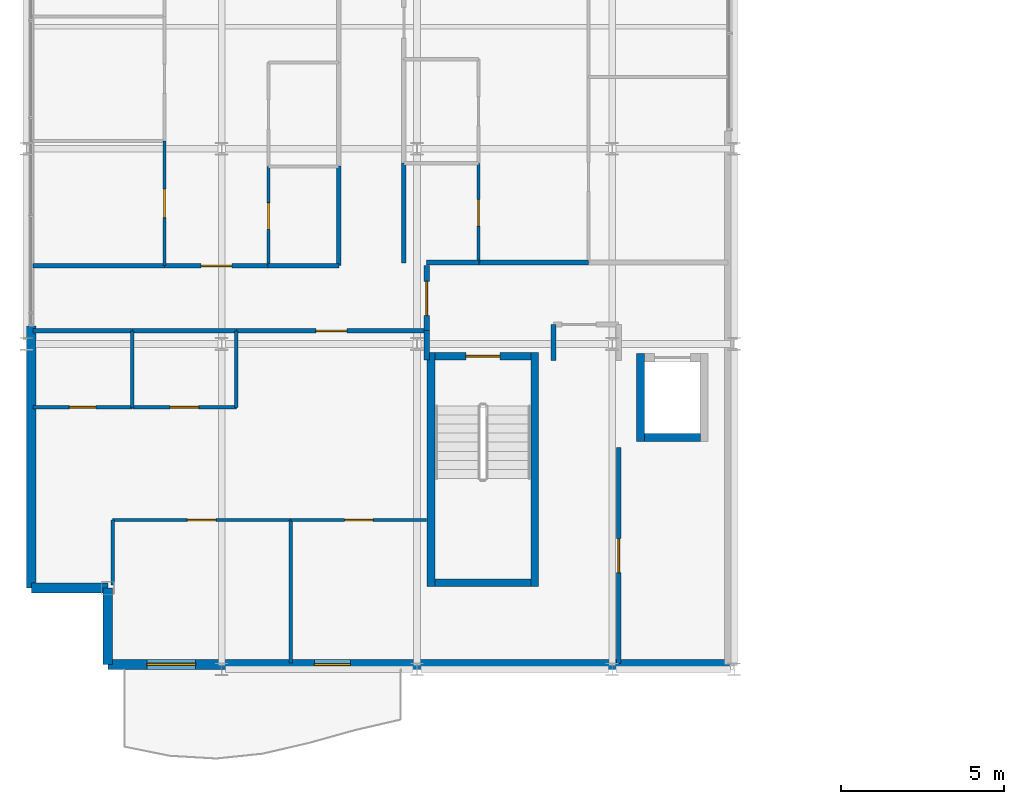
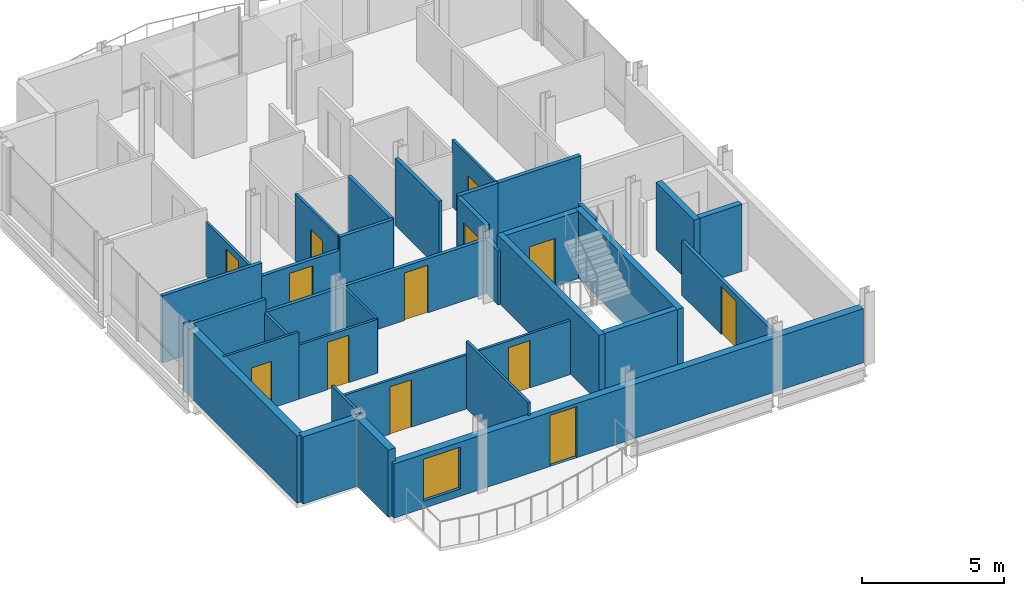
# One storey, part 22 of 27: 35 walls, 13 doors, 1 window, 14 openings.
"""IFC4 building model written with IfcOpenShell, lengths in metres."""

from ifc_helpers import new_model, si_unit, direction, frame, frame_2d, origin, place, context, subcontext, project, spatial, rectangle, extrude, material, layer, layer_set, type_object, element, fill, save


model = new_model("IFC4")

# Units and contexts
model_context = context("Model", 3, precision=1e-05, world=origin(), true_north=direction((0.0, 1.0)))
body_context = subcontext(model_context, "Body", "Model", "MODEL_VIEW")
ifc_project = project(units=[si_unit("LENGTHUNIT", "METRE"), si_unit("AREAUNIT", "SQUARE_METRE"), si_unit("VOLUMEUNIT", "CUBIC_METRE"), si_unit("PLANEANGLEUNIT", "RADIAN"), si_unit("MASSUNIT", "GRAM", prefix="KILO")], contexts=[model_context])

# Site, building, storey
site_placement = place(None, origin())
site = spatial("IfcSite", under=ifc_project, at=site_placement, CompositionType="ELEMENT")
building_placement = place(site_placement, origin())
building = spatial("IfcBuilding", under=site, at=building_placement, Name="Brevholm Reach", CompositionType="ELEMENT")
storey_placement = place(building_placement, frame((0.0, 0.0, 195.60009765625)))
storey = spatial("IfcBuildingStorey", under=building, at=storey_placement, Name="L59", CompositionType="ELEMENT", Elevation=195.60009765625)

# Walls
ifc_material_1 = material(Name="Concrete C45/55", Category="concrete")
ifc_layer_1 = layer(ifc_material_1, 0.239990234375)
ifc_layer_set_1 = layer_set([ifc_layer_1], Name="Concrete C45/55")
wall_type_1 = type_object("IfcWallType", Name="WAL-COR-240", PredefinedType="SHEAR", material=ifc_layer_set_1)
for number, where, z_axis, x_axis, name in (
    (1, (12.429931640625, 2.5400390625, 0.0), (0.0, 0.0, 1.0), (0.0, 1.0, 0.0), "L59 Escape Stair ST-1 Core Wall W"),
    (2, (15.6201171875, 2.5400390625, 0.0), (0.0, 0.0, 1.0), (0.0, 1.0, 0.0), "L59 Escape Stair ST-1 Core Wall E"),
):
    element("IfcWall", number, at=place(storey_placement, frame(where, z_axis=z_axis, x_axis=x_axis)), inside=storey, type_object=wall_type_1, Name=name, PredefinedType="SHEAR", context=body_context, shape_type="SweptSolid", body=[
        extrude(rectangle(XDim=7.199951171875, YDim=0.239990234375, at=frame_2d((3.60009765625, 0.0))), origin(), (0.0, 0.0, 1.0), 2.889892578125),
    ])
wall_1_placement = place(storey_placement, frame((12.550048828125, 2.659912109375, 0.0), z_axis=(0.0, 0.0, 1.0), x_axis=(1.0, 0.0, 0.0)))
element("IfcWall", 3, at=wall_1_placement, inside=storey, type_object=wall_type_1, Name="L59 Escape Stair ST-1 Core Wall S", PredefinedType="SHEAR", context=body_context, shape_type="SweptSolid", body=[
    extrude(rectangle(XDim=2.949951171875, YDim=0.239990234375, at=frame_2d((1.47509765625, 0.0))), origin(), (0.0, 0.0, 1.0), 2.889892578125),
])

# Wall, opening, door
wall_2_placement = place(storey_placement, frame((15.5, 9.6201171875, 0.0), z_axis=(0.0, 0.0, 1.0), x_axis=(-1.0, 0.0, 0.0)))
wall_2 = element("IfcWall", 4, at=wall_2_placement, inside=storey, type_object=wall_type_1, Name="L59 Escape Stair ST-1 Core Wall N", PredefinedType="SHEAR", context=body_context, shape_type="SweptSolid", body=[
    extrude(rectangle(XDim=2.949951171875, YDim=0.239990234375, at=frame_2d((1.47509765625, 0.0))), origin(), (0.0, 0.0, 1.0), 2.889892578125),
])
opening_1_placement = place(wall_2_placement, frame((0.949951171875, 0.0, 0.0)))
opening_1 = element("IfcOpeningElement", 5, at=opening_1_placement, cuts=wall_2, Name="Opening SD-ST-1", PredefinedType="OPENING", context=body_context, shape_type="SweptSolid", body=[
    extrude(rectangle(XDim=1.050048828125, YDim=2.06005859375, at=frame_2d((0.52490234375, 1.030029296875))), frame((0.0, 0.1298828125, 0.0), z_axis=(0.0, -1.0, 0.0), x_axis=(1.0, 0.0, 0.0)), (0.0, 0.0, 1.0), 0.260009765625),
])
ifc_material_2 = material(Name="Hardwood-Lipped Steel-Core Fire and Smoke Door", Category="steel")
door_type_1 = type_object("IfcDoorType", Name="DOR-INT-FD60S", OperationType="NOTDEFINED", PredefinedType="DOOR", material=ifc_material_2)
door_1_placement = place(opening_1_placement, origin())
door_1 = element("IfcDoor", 6, at=door_1_placement, inside=storey, type_object=door_type_1, Name="L59 Protected Stair ST-1 Lobby Door", OperationType="SINGLE_SWING_LEFT", OverallHeight=2.06005859375, OverallWidth=1.050048828125, PredefinedType="DOOR", context=body_context, shape_type="SweptSolid", body=[
    extrude(rectangle(XDim=1.050048828125, YDim=2.06005859375, at=frame_2d((0.52490234375, 1.030029296875))), frame((0.0, 0.02490234375, 0.0), z_axis=(0.0, -1.0, 0.0), x_axis=(1.0, 0.0, 0.0)), (0.0, 0.0, 1.0), 0.050048828125),
])
fill(opening_1, door_1)

# Walls
wall_3_placement = place(storey_placement, frame((18.8701171875, 7.0, 0.0), z_axis=(0.0, 0.0, 1.0), x_axis=(0.0, 1.0, 0.0)))
element("IfcWall", 7, at=wall_3_placement, inside=storey, type_object=wall_type_1, Name="L59 Lift FFL-1 Shaft Wall W", PredefinedType="SHEAR", context=body_context, shape_type="SweptSolid", body=[
    extrude(rectangle(XDim=2.699951171875, YDim=0.239990234375, at=frame_2d((1.35009765625, 0.0))), origin(), (0.0, 0.0, 1.0), 2.889892578125),
])
wall_4_placement = place(storey_placement, frame((18.989990234375, 7.1201171875, 0.0), z_axis=(0.0, 0.0, 1.0), x_axis=(1.0, 0.0, 0.0)))
element("IfcWall", 8, at=wall_4_placement, inside=storey, type_object=wall_type_1, Name="L59 Lift FFL-1 Shaft Wall S", PredefinedType="SHEAR", context=body_context, shape_type="SweptSolid", body=[
    extrude(rectangle(XDim=1.719970703125, YDim=0.239990234375, at=frame_2d((0.85986328125, 0.0))), origin(), (0.0, 0.0, 1.0), 2.889892578125),
])
ifc_material_3 = material(Name="Concrete C40/50", Category="concrete")
ifc_layer_2 = layer(ifc_material_3, 0.300048828125)
ifc_layer_set_2 = layer_set([ifc_layer_2], Name="Concrete C40/50")
wall_type_2 = type_object("IfcWallType", Name="WAL-EXT-300", PredefinedType="STANDARD", material=ifc_layer_set_2)
for number, where, z_axis, x_axis, name in (
    (9, (2.5, 2.5, 0.0), (0.0, 0.0, 1.0), (0.0, -1.0, 0.0), "L59 Facade Wall WAL-L59-WW-CSW1"),
    (10, (0.14990234375, 2.5, 0.0), (0.0, 0.0, 1.0), (1.0, 0.0, 0.0), "L59 Facade Wall WAL-L59-WW-CSW2"),
):
    element("IfcWall", number, at=place(storey_placement, frame(where, z_axis=z_axis, x_axis=x_axis)), inside=storey, type_object=wall_type_2, Name=name, PredefinedType="STANDARD", context=body_context, shape_type="SweptSolid", body=[
        extrude(rectangle(XDim=2.35009765625, YDim=0.300048828125, at=frame_2d((1.175048828125, 0.0))), origin(), (0.0, 0.0, 1.0), 2.889892578125),
    ])

# Wall, openings, door, window
wall_5_placement = place(storey_placement, frame((2.5, 0.14990234375, 0.0), z_axis=(0.0, 0.0, 1.0), x_axis=(1.0, 0.0, 0.0)))
wall_5 = element("IfcWall", 11, at=wall_5_placement, inside=storey, type_object=wall_type_2, Name="L59 Facade Wall WAL-L59-WW-S", PredefinedType="STANDARD", context=body_context, shape_type="SweptSolid", body=[
    extrude(rectangle(XDim=19.10009765625, YDim=0.300048828125, at=frame_2d((9.550048828125, 0.0))), origin(), (0.0, 0.0, 1.0), 2.331787109375),
])
opening_2_placement = place(wall_5_placement, frame((6.35009765625, 0.0, 0.0)))
opening_2 = element("IfcOpeningElement", 12, at=opening_2_placement, cuts=wall_5, Name="Opening BD-01", PredefinedType="OPENING", context=body_context, shape_type="SweptSolid", body=[
    extrude(rectangle(XDim=1.10009765625, YDim=2.199951171875, at=frame_2d((0.550048828125, 1.10009765625))), frame((0.0, 0.159912109375, 0.0), z_axis=(0.0, -1.0, 0.0), x_axis=(1.0, 0.0, 0.0)), (0.0, 0.0, 1.0), 0.320068359375),
])
opening_3_placement = place(wall_5_placement, frame((1.199951171875, 0.0, 0.31201171875)))
opening_3 = element("IfcOpeningElement", 13, at=opening_3_placement, cuts=wall_5, Name="Opening WN-05", PredefinedType="OPENING", context=body_context, shape_type="SweptSolid", body=[
    extrude(rectangle(XDim=1.5, YDim=1.800048828125, at=frame_2d((0.75, 0.89990234375))), frame((0.0, 0.159912109375, 0.0), z_axis=(0.0, -1.0, 0.0), x_axis=(1.0, 0.0, 0.0)), (0.0, 0.0, 1.0), 0.320068359375),
])
ifc_material_4 = material(Name="Dark Anodised Aluminium and Triple-Glazed Glass", Category="aluminium")
door_type_2 = type_object("IfcDoorType", Name="DOR-BALC-1100", OperationType="NOTDEFINED", PredefinedType="DOOR", material=ifc_material_4)
door_2_placement = place(opening_2_placement, origin())
door_2 = element("IfcDoor", 14, at=door_2_placement, inside=storey, type_object=door_type_2, Name="L59 Exterior Door DOR-L59-BL-SW", OperationType="SINGLE_SWING_RIGHT", OverallHeight=2.199951171875, OverallWidth=1.10009765625, PredefinedType="DOOR", context=body_context, shape_type="SweptSolid", body=[
    extrude(rectangle(XDim=1.10009765625, YDim=2.199951171875, at=frame_2d((0.550048828125, 1.10009765625))), frame((0.0, 0.02490234375, 0.0), z_axis=(0.0, -1.0, 0.0), x_axis=(1.0, 0.0, 0.0)), (0.0, 0.0, 1.0), 0.050048828125),
])
fill(opening_2, door_2)
ifc_material_5 = material(Name="Dark Anodised Aluminium and Solar-Control IGU Glass", Category="aluminium")
window_type = type_object("IfcWindowType", Name="WIN-RES-1500", PartitioningType="SINGLE_PANEL", PredefinedType="WINDOW", material=ifc_material_5)
window_placement = place(opening_3_placement, origin())
window = element("IfcWindow", 15, at=window_placement, inside=storey, type_object=window_type, Name="L59 Window WIN-L59-WWS-1", OverallHeight=1.800048828125, OverallWidth=1.5, PartitioningType="SINGLE_PANEL", PredefinedType="WINDOW", context=body_context, shape_type="SweptSolid", body=[
    extrude(rectangle(XDim=1.5, YDim=1.800048828125, at=frame_2d((0.75, 0.89990234375))), frame((0.0, 0.030029296875, 0.0), z_axis=(0.0, -1.0, 0.0), x_axis=(1.0, 0.0, 0.0)), (0.0, 0.0, 1.0), 0.06005859375),
])
fill(opening_3, window)

# Walls
wall_6_placement = place(storey_placement, frame((0.14990234375, 10.550048828125, 0.0), z_axis=(0.0, 0.0, 1.0), x_axis=(0.0, -1.0, 0.0)))
element("IfcWall", 16, at=wall_6_placement, inside=storey, type_object=wall_type_2, Name="L59 Facade Wall WAL-L59-WW-WS", PredefinedType="STANDARD", context=body_context, shape_type="SweptSolid", body=[
    extrude(rectangle(XDim=8.050048828125, YDim=0.300048828125, at=frame_2d((4.02490234375, 0.0))), origin(), (0.0, 0.0, 1.0), 2.889892578125),
])
ifc_material_6 = material(Name="Moisture-Resistant Acoustic Gypsum Stud Partition 100 mm", Category="gypsum")
ifc_layer_3 = layer(ifc_material_6, 0.10009765625)
ifc_layer_set_3 = layer_set([ifc_layer_3], Name="Moisture-Resistant Acoustic Gypsum Stud Partition 100 mm")
wall_type_3 = type_object("IfcWallType", Name="WAL-PRT-100", PredefinedType="PARTITIONING", material=ifc_layer_set_3)
wall_7_placement = place(storey_placement, frame((3.25, 8.053955078125, 0.0), z_axis=(0.0, 0.0, 1.0), x_axis=(0.0, 1.0, 0.0)))
element("IfcWall", 17, at=wall_7_placement, inside=storey, type_object=wall_type_3, Name="L59 Internal Partition 036", PredefinedType="PARTITIONING", context=body_context, shape_type="SweptSolid", body=[
    extrude(rectangle(XDim=2.342041015625, YDim=0.10009765625, at=frame_2d((1.1708984375, 0.0))), origin(), (0.0, 0.0, 1.0), 2.325439453125),
])

# Wall, opening, door
wall_8_placement = place(storey_placement, frame((0.199951171875, 8.053955078125, 0.0), z_axis=(0.0, 0.0, 1.0), x_axis=(1.0, 0.0, 0.0)))
wall_8 = element("IfcWall", 18, at=wall_8_placement, inside=storey, type_object=wall_type_3, Name="L59 Internal Partition 037", PredefinedType="PARTITIONING", context=body_context, shape_type="SweptSolid", body=[
    extrude(rectangle(XDim=3.050048828125, YDim=0.10009765625, at=frame_2d((1.52490234375, 0.0))), origin(), (0.0, 0.0, 1.0), 2.889892578125),
])
opening_4_placement = place(wall_8_placement, frame((1.114990234375, 0.0, 0.0)))
opening_4 = element("IfcOpeningElement", 19, at=opening_4_placement, cuts=wall_8, Name="Opening ID-03", PredefinedType="OPENING", context=body_context, shape_type="SweptSolid", body=[
    extrude(rectangle(XDim=0.820068359375, YDim=2.02001953125, at=frame_2d((0.41015625, 1.010009765625))), frame((0.0, 0.06005859375, 0.0), z_axis=(0.0, -1.0, 0.0), x_axis=(1.0, 0.0, 0.0)), (0.0, 0.0, 1.0), 0.1201171875),
])
ifc_material_7 = material(Name="Moisture-Resistant Painted Timber Internal Bathroom Door", Category="wood")
door_type_3 = type_object("IfcDoorType", Name="DOR-BATH-820", OperationType="NOTDEFINED", PredefinedType="DOOR", material=ifc_material_7)
door_3_placement = place(opening_4_placement, origin())
door_3 = element("IfcDoor", 20, at=door_3_placement, inside=storey, type_object=door_type_3, Name="L59 Internal Door 014", OperationType="SINGLE_SWING_RIGHT", OverallHeight=2.02001953125, OverallWidth=0.820068359375, PredefinedType="DOOR", context=body_context, shape_type="SweptSolid", body=[
    extrude(rectangle(XDim=0.820068359375, YDim=2.02001953125, at=frame_2d((0.41015625, 1.010009765625))), frame((0.0, 0.02490234375, 0.0), z_axis=(0.0, -1.0, 0.0), x_axis=(1.0, 0.0, 0.0)), (0.0, 0.0, 1.0), 0.050048828125),
])
fill(opening_4, door_3)

wall_9_placement = place(storey_placement, frame((3.25390625, 8.053955078125, 0.0), z_axis=(0.0, 0.0, 1.0), x_axis=(1.0, 0.0, 0.0)))
wall_9 = element("IfcWall", 21, at=wall_9_placement, inside=storey, type_object=wall_type_3, Name="L59 Internal Partition 038", PredefinedType="PARTITIONING", context=body_context, shape_type="SweptSolid", body=[
    extrude(rectangle(XDim=3.196044921875, YDim=0.10009765625, at=frame_2d((1.59814453125, 0.0))), origin(), (0.0, 0.0, 1.0), 2.325439453125),
])
opening_5_placement = place(wall_9_placement, frame((1.157958984375, 0.0, 0.0)))
opening_5 = element("IfcOpeningElement", 22, at=opening_5_placement, cuts=wall_9, Name="Opening ID-01", PredefinedType="OPENING", context=body_context, shape_type="SweptSolid", body=[
    extrude(rectangle(XDim=0.8798828125, YDim=2.0400390625, at=frame_2d((0.43994140625, 1.02001953125))), frame((0.0, 0.06005859375, 0.0), z_axis=(0.0, -1.0, 0.0), x_axis=(1.0, 0.0, 0.0)), (0.0, 0.0, 1.0), 0.1201171875),
])
ifc_material_8 = material(Name="Lacquered Ash Solid-Core Acoustic Internal Door", Category="timber")
door_type_4 = type_object("IfcDoorType", Name="DOR-INT-880", OperationType="NOTDEFINED", PredefinedType="DOOR", material=ifc_material_8)
door_4_placement = place(opening_5_placement, origin())
door_4 = element("IfcDoor", 23, at=door_4_placement, inside=storey, type_object=door_type_4, Name="L59 Internal Door 015", OperationType="SINGLE_SWING_LEFT", OverallHeight=2.0400390625, OverallWidth=0.8798828125, PredefinedType="DOOR", context=body_context, shape_type="SweptSolid", body=[
    extrude(rectangle(XDim=0.8798828125, YDim=2.0400390625, at=frame_2d((0.43994140625, 1.02001953125))), frame((0.0, 0.02490234375, 0.0), z_axis=(0.0, -1.0, 0.0), x_axis=(1.0, 0.0, 0.0)), (0.0, 0.0, 1.0), 0.050048828125),
])
fill(opening_5, door_4)

# Walls
wall_10_placement = place(storey_placement, frame((6.449951171875, 8.053955078125, 0.0), z_axis=(0.0, 0.0, 1.0), x_axis=(0.0, 1.0, 0.0)))
element("IfcWall", 24, at=wall_10_placement, inside=storey, type_object=wall_type_3, Name="L59 Internal Partition 039", PredefinedType="PARTITIONING", context=body_context, shape_type="SweptSolid", body=[
    extrude(rectangle(XDim=2.342041015625, YDim=0.10009765625, at=frame_2d((1.1708984375, 0.0))), origin(), (0.0, 0.0, 1.0), 2.325439453125),
])
wall_11_placement = place(storey_placement, frame((8.125, 0.199951171875, 0.0), z_axis=(0.0, 0.0, 1.0), x_axis=(0.0, 1.0, 0.0)))
element("IfcWall", 25, at=wall_11_placement, inside=storey, type_object=wall_type_3, Name="L59 Internal Partition 040", PredefinedType="PARTITIONING", context=body_context, shape_type="SweptSolid", body=[
    extrude(rectangle(XDim=4.385986328125, YDim=0.10009765625, at=frame_2d((2.19287109375, 0.0))), origin(), (0.0, 0.0, 1.0), 2.889892578125),
])
wall_12_placement = place(storey_placement, frame((2.64990234375, 2.599365234375, 0.0), z_axis=(0.0, 0.0, 1.0), x_axis=(0.0, 1.0, 0.0)))
element("IfcWall", 26, at=wall_12_placement, inside=storey, type_object=wall_type_3, Name="L59 Internal Partition 041", PredefinedType="PARTITIONING", context=body_context, shape_type="SweptSolid", body=[
    extrude(rectangle(XDim=1.986572265625, YDim=0.10009765625, at=frame_2d((0.9931640625, 0.0))), origin(), (0.0, 0.0, 1.0), 2.889892578125),
])

# Wall, opening, door
wall_13_placement = place(storey_placement, frame((2.64990234375, 4.5859375, 0.0), z_axis=(0.0, 0.0, 1.0), x_axis=(1.0, 0.0, 0.0)))
wall_13 = element("IfcWall", 27, at=wall_13_placement, inside=storey, type_object=wall_type_3, Name="L59 Internal Partition 042", PredefinedType="PARTITIONING", context=body_context, shape_type="SweptSolid", body=[
    extrude(rectangle(XDim=5.47509765625, YDim=0.10009765625, at=frame_2d((2.737548828125, 0.0))), origin(), (0.0, 0.0, 1.0), 2.325439453125),
])
opening_6_placement = place(wall_13_placement, frame((2.297607421875, 0.0, 0.0)))
opening_6 = element("IfcOpeningElement", 28, at=opening_6_placement, cuts=wall_13, Name="Opening ID-01", PredefinedType="OPENING", context=body_context, shape_type="SweptSolid", body=[
    extrude(rectangle(XDim=0.8798828125, YDim=2.0400390625, at=frame_2d((0.43994140625, 1.02001953125))), frame((0.0, 0.06005859375, 0.0), z_axis=(0.0, -1.0, 0.0), x_axis=(1.0, 0.0, 0.0)), (0.0, 0.0, 1.0), 0.1201171875),
])
door_5_placement = place(opening_6_placement, origin())
door_5 = element("IfcDoor", 29, at=door_5_placement, inside=storey, type_object=door_type_4, Name="L59 Internal Door 016", OperationType="SINGLE_SWING_RIGHT", OverallHeight=2.0400390625, OverallWidth=0.8798828125, PredefinedType="DOOR", context=body_context, shape_type="SweptSolid", body=[
    extrude(rectangle(XDim=0.8798828125, YDim=2.0400390625, at=frame_2d((0.43994140625, 1.02001953125))), frame((0.0, 0.02490234375, 0.0), z_axis=(0.0, -1.0, 0.0), x_axis=(1.0, 0.0, 0.0)), (0.0, 0.0, 1.0), 0.050048828125),
])
fill(opening_6, door_5)

wall_14_placement = place(storey_placement, frame((8.12890625, 4.5859375, 0.0), z_axis=(0.0, 0.0, 1.0), x_axis=(1.0, 0.0, 0.0)))
wall_14 = element("IfcWall", 30, at=wall_14_placement, inside=storey, type_object=wall_type_3, Name="L59 Internal Partition 043", PredefinedType="PARTITIONING", context=body_context, shape_type="SweptSolid", body=[
    extrude(rectangle(XDim=4.171142578125, YDim=0.10009765625, at=frame_2d((2.08544921875, 0.0))), origin(), (0.0, 0.0, 1.0), 2.325439453125),
])
opening_7_placement = place(wall_14_placement, frame((1.6455078125, 0.0, 0.0)))
opening_7 = element("IfcOpeningElement", 31, at=opening_7_placement, cuts=wall_14, Name="Opening ID-01", PredefinedType="OPENING", context=body_context, shape_type="SweptSolid", body=[
    extrude(rectangle(XDim=0.8798828125, YDim=2.0400390625, at=frame_2d((0.43994140625, 1.02001953125))), frame((0.0, 0.06005859375, 0.0), z_axis=(0.0, -1.0, 0.0), x_axis=(1.0, 0.0, 0.0)), (0.0, 0.0, 1.0), 0.1201171875),
])
door_6_placement = place(opening_7_placement, origin())
door_6 = element("IfcDoor", 32, at=door_6_placement, inside=storey, type_object=door_type_4, Name="L59 Internal Door 017", OperationType="SINGLE_SWING_LEFT", OverallHeight=2.0400390625, OverallWidth=0.8798828125, PredefinedType="DOOR", context=body_context, shape_type="SweptSolid", body=[
    extrude(rectangle(XDim=0.8798828125, YDim=2.0400390625, at=frame_2d((0.43994140625, 1.02001953125))), frame((0.0, 0.02490234375, 0.0), z_axis=(0.0, -1.0, 0.0), x_axis=(1.0, 0.0, 0.0)), (0.0, 0.0, 1.0), 0.050048828125),
])
fill(opening_7, door_6)

wall_15_placement = place(storey_placement, frame((7.43798828125, 12.404052734375, 0.0), z_axis=(0.0, 0.0, 1.0), x_axis=(0.0, 1.0, 0.0)))
wall_15 = element("IfcWall", 33, at=wall_15_placement, inside=storey, type_object=wall_type_3, Name="L59 Internal Partition 045", PredefinedType="PARTITIONING", context=body_context, shape_type="SweptSolid", body=[
    extrude(rectangle(XDim=3.0458984375, YDim=0.10009765625, at=frame_2d((1.52294921875, 0.0))), origin(), (0.0, 0.0, 1.0), 2.889892578125),
])
opening_8_placement = place(wall_15_placement, frame((1.113037109375, 0.0, 0.0)))
opening_8 = element("IfcOpeningElement", 34, at=opening_8_placement, cuts=wall_15, Name="Opening ID-03", PredefinedType="OPENING", context=body_context, shape_type="SweptSolid", body=[
    extrude(rectangle(XDim=0.820068359375, YDim=2.02001953125, at=frame_2d((0.41015625, 1.010009765625))), frame((0.0, 0.06005859375, 0.0), z_axis=(0.0, -1.0, 0.0), x_axis=(1.0, 0.0, 0.0)), (0.0, 0.0, 1.0), 0.1201171875),
])
door_7_placement = place(opening_8_placement, origin())
door_7 = element("IfcDoor", 35, at=door_7_placement, inside=storey, type_object=door_type_3, Name="L59 Internal Door 018", OperationType="SINGLE_SWING_RIGHT", OverallHeight=2.02001953125, OverallWidth=0.820068359375, PredefinedType="DOOR", context=body_context, shape_type="SweptSolid", body=[
    extrude(rectangle(XDim=0.820068359375, YDim=2.02001953125, at=frame_2d((0.41015625, 1.010009765625))), frame((0.0, 0.02490234375, 0.0), z_axis=(0.0, -1.0, 0.0), x_axis=(1.0, 0.0, 0.0)), (0.0, 0.0, 1.0), 0.050048828125),
])
fill(opening_8, door_7)

wall_16_placement = place(storey_placement, frame((4.241943359375, 12.404052734375, 0.0), z_axis=(0.0, 0.0, 1.0), x_axis=(0.0, 1.0, 0.0)))
wall_16 = element("IfcWall", 36, at=wall_16_placement, inside=storey, type_object=wall_type_3, Name="L59 Internal Partition 051", PredefinedType="PARTITIONING", context=body_context, shape_type="SweptSolid", body=[
    extrude(rectangle(XDim=3.828857421875, YDim=0.10009765625, at=frame_2d((1.91455078125, 0.0))), origin(), (0.0, 0.0, 1.0), 2.325439453125),
])
opening_9_placement = place(wall_16_placement, frame((1.474609375, 0.0, 0.0)))
opening_9 = element("IfcOpeningElement", 37, at=opening_9_placement, cuts=wall_16, Name="Opening ID-01", PredefinedType="OPENING", context=body_context, shape_type="SweptSolid", body=[
    extrude(rectangle(XDim=0.8798828125, YDim=2.0400390625, at=frame_2d((0.43994140625, 1.02001953125))), frame((0.0, 0.06005859375, 0.0), z_axis=(0.0, -1.0, 0.0), x_axis=(1.0, 0.0, 0.0)), (0.0, 0.0, 1.0), 0.1201171875),
])
door_8_placement = place(opening_9_placement, origin())
door_8 = element("IfcDoor", 38, at=door_8_placement, inside=storey, type_object=door_type_4, Name="L59 Internal Door 021", OperationType="SINGLE_SWING_LEFT", OverallHeight=2.0400390625, OverallWidth=0.8798828125, PredefinedType="DOOR", context=body_context, shape_type="SweptSolid", body=[
    extrude(rectangle(XDim=0.8798828125, YDim=2.0400390625, at=frame_2d((0.43994140625, 1.02001953125))), frame((0.0, 0.02490234375, 0.0), z_axis=(0.0, -1.0, 0.0), x_axis=(1.0, 0.0, 0.0)), (0.0, 0.0, 1.0), 0.050048828125),
])
fill(opening_9, door_8)

wall_17_placement = place(storey_placement, frame((13.888916015625, 12.50390625, 0.0), z_axis=(0.0, 0.0, 1.0), x_axis=(0.0, 1.0, 0.0)))
wall_17 = element("IfcWall", 39, at=wall_17_placement, inside=storey, type_object=wall_type_3, Name="L59 Internal Partition 057", PredefinedType="PARTITIONING", context=body_context, shape_type="SweptSolid", body=[
    extrude(rectangle(XDim=3.046142578125, YDim=0.10009765625, at=frame_2d((1.52294921875, 0.0))), origin(), (0.0, 0.0, 1.0), 2.889892578125),
])
opening_10_placement = place(wall_17_placement, frame((1.113037109375, 0.0, 0.0)))
opening_10 = element("IfcOpeningElement", 40, at=opening_10_placement, cuts=wall_17, Name="Opening ID-03", PredefinedType="OPENING", context=body_context, shape_type="SweptSolid", body=[
    extrude(rectangle(XDim=0.820068359375, YDim=2.02001953125, at=frame_2d((0.41015625, 1.010009765625))), frame((0.0, 0.06005859375, 0.0), z_axis=(0.0, -1.0, 0.0), x_axis=(1.0, 0.0, 0.0)), (0.0, 0.0, 1.0), 0.1201171875),
])
door_9_placement = place(opening_10_placement, origin())
door_9 = element("IfcDoor", 41, at=door_9_placement, inside=storey, type_object=door_type_3, Name="L59 Internal Door 024", OperationType="SINGLE_SWING_RIGHT", OverallHeight=2.02001953125, OverallWidth=0.820068359375, PredefinedType="DOOR", context=body_context, shape_type="SweptSolid", body=[
    extrude(rectangle(XDim=0.820068359375, YDim=2.02001953125, at=frame_2d((0.41015625, 1.010009765625))), frame((0.0, 0.02490234375, 0.0), z_axis=(0.0, -1.0, 0.0), x_axis=(1.0, 0.0, 0.0)), (0.0, 0.0, 1.0), 0.050048828125),
])
fill(opening_10, door_9)

ifc_material_9 = material(Name="Twin-Stud Acoustic Fire-Rated Gypsum Partition 140 mm", Category="gypsum")
ifc_layer_4 = layer(ifc_material_9, 0.139892578125)
ifc_layer_set_4 = layer_set([ifc_layer_4], Name="Twin-Stud Acoustic Fire-Rated Gypsum Partition 140 mm")
wall_type_4 = type_object("IfcWallType", Name="WAL-PRT-140", PredefinedType="PARTITIONING", material=ifc_layer_set_4)
wall_18_placement = place(storey_placement, frame((18.199951171875, 0.179931640625, 0.0), z_axis=(0.0, 0.0, 1.0), x_axis=(0.0, 1.0, 0.0)))
wall_18 = element("IfcWall", 42, at=wall_18_placement, inside=storey, type_object=wall_type_4, Name="L59 Internal Partition 001", PredefinedType="PARTITIONING", context=body_context, shape_type="SweptSolid", body=[
    extrude(rectangle(XDim=6.63134765625, YDim=0.139892578125, at=frame_2d((3.315673828125, 0.0))), origin(), (0.0, 0.0, 1.0), 2.325439453125),
])
opening_11_placement = place(wall_18_placement, frame((2.790771484375, 0.0, 0.0)))
opening_11 = element("IfcOpeningElement", 43, at=opening_11_placement, cuts=wall_18, Name="Opening FD-01", PredefinedType="OPENING", context=body_context, shape_type="SweptSolid", body=[
    extrude(rectangle(XDim=1.050048828125, YDim=2.06005859375, at=frame_2d((0.52490234375, 1.030029296875))), frame((0.0, 0.079833984375, 0.0), z_axis=(0.0, -1.0, 0.0), x_axis=(1.0, 0.0, 0.0)), (0.0, 0.0, 1.0), 0.159912109375),
])
door_10_placement = place(opening_11_placement, origin())
door_10 = element("IfcDoor", 44, at=door_10_placement, inside=storey, type_object=door_type_1, Name="L59 Internal Door 001", OperationType="SINGLE_SWING_LEFT", OverallHeight=2.06005859375, OverallWidth=1.050048828125, PredefinedType="DOOR", context=body_context, shape_type="SweptSolid", body=[
    extrude(rectangle(XDim=1.050048828125, YDim=2.06005859375, at=frame_2d((0.52490234375, 1.030029296875))), frame((0.0, 0.02490234375, 0.0), z_axis=(0.0, -1.0, 0.0), x_axis=(1.0, 0.0, 0.0)), (0.0, 0.0, 1.0), 0.050048828125),
])
fill(opening_11, door_10)

# Walls
wall_19_placement = place(storey_placement, frame((0.199951171875, 10.39990234375, 0.0), z_axis=(0.0, 0.0, 1.0), x_axis=(1.0, 0.0, 0.0)))
element("IfcWall", 45, at=wall_19_placement, inside=storey, type_object=wall_type_4, Name="L59 Internal Partition 014", PredefinedType="PARTITIONING", context=body_context, shape_type="SweptSolid", body=[
    extrude(rectangle(XDim=3.061279296875, YDim=0.139892578125, at=frame_2d((1.53076171875, 0.0))), origin(), (0.0, 0.0, 1.0), 2.889892578125),
])
wall_20_placement = place(storey_placement, frame((3.24267578125, 10.39990234375, 0.0), z_axis=(0.0, 0.0, 1.0), x_axis=(1.0, 0.0, 0.0)))
element("IfcWall", 46, at=wall_20_placement, inside=storey, type_object=wall_type_4, Name="L59 Internal Partition 015", PredefinedType="PARTITIONING", context=body_context, shape_type="SweptSolid", body=[
    extrude(rectangle(XDim=3.218505859375, YDim=0.139892578125, at=frame_2d((1.609375, 0.0))), origin(), (0.0, 0.0, 1.0), 2.325439453125),
])

# Wall, opening, door
wall_21_placement = place(storey_placement, frame((6.442626953125, 10.39990234375, 0.0), z_axis=(0.0, 0.0, 1.0), x_axis=(1.0, 0.0, 0.0)))
wall_21 = element("IfcWall", 47, at=wall_21_placement, inside=storey, type_object=wall_type_4, Name="L59 Internal Partition 016", PredefinedType="PARTITIONING", context=body_context, shape_type="SweptSolid", body=[
    extrude(rectangle(XDim=5.853271484375, YDim=0.139892578125, at=frame_2d((2.9267578125, 0.0))), origin(), (0.0, 0.0, 1.0), 2.325439453125),
])
opening_12_placement = place(wall_21_placement, frame((2.45166015625, 0.0, 0.0)))
opening_12 = element("IfcOpeningElement", 48, at=opening_12_placement, cuts=wall_21, Name="Opening ID-30", PredefinedType="OPENING", context=body_context, shape_type="SweptSolid", body=[
    extrude(rectangle(XDim=0.949951171875, YDim=2.050048828125, at=frame_2d((0.47509765625, 1.02490234375))), frame((0.0, 0.079833984375, 0.0), z_axis=(0.0, -1.0, 0.0), x_axis=(1.0, 0.0, 0.0)), (0.0, 0.0, 1.0), 0.159912109375),
])
ifc_material_10 = material(Name="European Oak Veneered Solid-Core Fire Entrance Door", Category="timber")
door_type_5 = type_object("IfcDoorType", Name="DOR-FLT-FD30S", OperationType="NOTDEFINED", PredefinedType="DOOR", material=ifc_material_10)
door_11_placement = place(opening_12_placement, origin())
door_11 = element("IfcDoor", 49, at=door_11_placement, inside=storey, type_object=door_type_5, Name="L59 Internal Door 007", OperationType="SINGLE_SWING_LEFT", OverallHeight=2.050048828125, OverallWidth=0.949951171875, PredefinedType="DOOR", context=body_context, shape_type="SweptSolid", body=[
    extrude(rectangle(XDim=0.949951171875, YDim=2.050048828125, at=frame_2d((0.47509765625, 1.02490234375))), frame((0.0, 0.02490234375, 0.0), z_axis=(0.0, -1.0, 0.0), x_axis=(1.0, 0.0, 0.0)), (0.0, 0.0, 1.0), 0.050048828125),
])
fill(opening_12, door_11)

# Walls
wall_22_placement = place(storey_placement, frame((7.4267578125, 12.39990234375, 0.0), z_axis=(0.0, 0.0, 1.0), x_axis=(1.0, 0.0, 0.0)))
element("IfcWall", 50, at=wall_22_placement, inside=storey, type_object=wall_type_4, Name="L59 Internal Partition 017", PredefinedType="PARTITIONING", context=body_context, shape_type="SweptSolid", body=[
    extrude(rectangle(XDim=2.1806640625, YDim=0.139892578125, at=frame_2d((1.09033203125, 0.0))), origin(), (0.0, 0.0, 1.0), 2.889892578125),
])
wall_23_placement = place(storey_placement, frame((0.199951171875, 12.39990234375, 0.0), z_axis=(0.0, 0.0, 1.0), x_axis=(1.0, 0.0, 0.0)))
element("IfcWall", 51, at=wall_23_placement, inside=storey, type_object=wall_type_4, Name="L59 Internal Partition 018", PredefinedType="PARTITIONING", context=body_context, shape_type="SweptSolid", body=[
    extrude(rectangle(XDim=4.053466796875, YDim=0.139892578125, at=frame_2d((2.02685546875, 0.0))), origin(), (0.0, 0.0, 1.0), 2.889892578125),
])

# Wall, opening, door
wall_24_placement = place(storey_placement, frame((4.234619140625, 12.39990234375, 0.0), z_axis=(0.0, 0.0, 1.0), x_axis=(1.0, 0.0, 0.0)))
wall_24 = element("IfcWall", 52, at=wall_24_placement, inside=storey, type_object=wall_type_4, Name="L59 Internal Partition 019", PredefinedType="PARTITIONING", context=body_context, shape_type="SweptSolid", body=[
    extrude(rectangle(XDim=3.210693359375, YDim=0.139892578125, at=frame_2d((1.60546875, 0.0))), origin(), (0.0, 0.0, 1.0), 2.325439453125),
])
opening_13_placement = place(wall_24_placement, frame((1.13037109375, 0.0, 0.0)))
opening_13 = element("IfcOpeningElement", 53, at=opening_13_placement, cuts=wall_24, Name="Opening ID-30", PredefinedType="OPENING", context=body_context, shape_type="SweptSolid", body=[
    extrude(rectangle(XDim=0.949951171875, YDim=2.050048828125, at=frame_2d((0.47509765625, 1.02490234375))), frame((0.0, 0.079833984375, 0.0), z_axis=(0.0, -1.0, 0.0), x_axis=(1.0, 0.0, 0.0)), (0.0, 0.0, 1.0), 0.159912109375),
])
door_12_placement = place(opening_13_placement, origin())
door_12 = element("IfcDoor", 54, at=door_12_placement, inside=storey, type_object=door_type_5, Name="L59 Internal Door 008", OperationType="SINGLE_SWING_RIGHT", OverallHeight=2.050048828125, OverallWidth=0.949951171875, PredefinedType="DOOR", context=body_context, shape_type="SweptSolid", body=[
    extrude(rectangle(XDim=0.949951171875, YDim=2.050048828125, at=frame_2d((0.47509765625, 1.02490234375))), frame((0.0, 0.02490234375, 0.0), z_axis=(0.0, -1.0, 0.0), x_axis=(1.0, 0.0, 0.0)), (0.0, 0.0, 1.0), 0.050048828125),
])
fill(opening_13, door_12)

# Walls
wall_25_placement = place(storey_placement, frame((9.60009765625, 12.404052734375, 0.0), z_axis=(0.0, 0.0, 1.0), x_axis=(0.0, 1.0, 0.0)))
element("IfcWall", 55, at=wall_25_placement, inside=storey, type_object=wall_type_4, Name="L59 Internal Partition 020", PredefinedType="PARTITIONING", context=body_context, shape_type="SweptSolid", body=[
    extrude(rectangle(XDim=3.05712890625, YDim=0.139892578125, at=frame_2d((1.528564453125, 0.0))), origin(), (0.0, 0.0, 1.0), 2.889892578125),
])
wall_26_placement = place(storey_placement, frame((11.60009765625, 12.48876953125, 0.0), z_axis=(0.0, 0.0, 1.0), x_axis=(0.0, 1.0, 0.0)))
element("IfcWall", 56, at=wall_26_placement, inside=storey, type_object=wall_type_4, Name="L59 Internal Partition 023", PredefinedType="PARTITIONING", context=body_context, shape_type="SweptSolid", body=[
    extrude(rectangle(XDim=3.072509765625, YDim=0.139892578125, at=frame_2d((1.5361328125, 0.0))), origin(), (0.0, 0.0, 1.0), 2.889892578125),
])
ifc_material_11 = material(Name="Twin-Frame Fire-Rated Gypsum Board and Mineral Wool 160 mm", Category="gypsum")
ifc_layer_5 = layer(ifc_material_11, 0.159912109375)
ifc_layer_set_5 = layer_set([ifc_layer_5], Name="Twin-Frame Fire-Rated Gypsum Board and Mineral Wool 160 mm")
wall_type_5 = type_object("IfcWallType", Name="WAL-PRT-160", PredefinedType="PARTITIONING", material=ifc_layer_set_5)
wall_27_placement = place(storey_placement, frame((16.199951171875, 9.48876953125, 0.0), z_axis=(0.0, 0.0, 1.0), x_axis=(0.0, 1.0, 0.0)))
element("IfcWall", 57, at=wall_27_placement, inside=storey, type_object=wall_type_5, Name="L59 Internal Partition 002", PredefinedType="PARTITIONING", context=body_context, shape_type="SweptSolid", body=[
    extrude(rectangle(XDim=1.111328125, YDim=0.159912109375, at=frame_2d((0.5556640625, 0.0))), origin(), (0.0, 0.0, 1.0), 2.325439453125),
])

# Wall, opening, door
wall_28_placement = place(storey_placement, frame((12.300048828125, 10.388671875, 0.0), z_axis=(0.0, 0.0, 1.0), x_axis=(0.0, 1.0, 0.0)))
wall_28 = element("IfcWall", 58, at=wall_28_placement, inside=storey, type_object=wall_type_5, Name="L59 Internal Partition 009", PredefinedType="PARTITIONING", context=body_context, shape_type="SweptSolid", body=[
    extrude(rectangle(XDim=2.022705078125, YDim=0.159912109375, at=frame_2d((1.01123046875, 0.0))), origin(), (0.0, 0.0, 1.0), 2.889892578125),
])
opening_14_placement = place(wall_28_placement, frame((0.486328125, 0.0, 0.0)))
opening_14 = element("IfcOpeningElement", 59, at=opening_14_placement, cuts=wall_28, Name="Opening FD-01", PredefinedType="OPENING", context=body_context, shape_type="SweptSolid", body=[
    extrude(rectangle(XDim=1.050048828125, YDim=2.06005859375, at=frame_2d((0.52490234375, 1.030029296875))), frame((0.0, 0.08984375, 0.0), z_axis=(0.0, -1.0, 0.0), x_axis=(1.0, 0.0, 0.0)), (0.0, 0.0, 1.0), 0.179931640625),
])
door_13_placement = place(opening_14_placement, origin())
door_13 = element("IfcDoor", 60, at=door_13_placement, inside=storey, type_object=door_type_1, Name="L59 Internal Door 006", OperationType="SINGLE_SWING_RIGHT", OverallHeight=2.06005859375, OverallWidth=1.050048828125, PredefinedType="DOOR", context=body_context, shape_type="SweptSolid", body=[
    extrude(rectangle(XDim=1.050048828125, YDim=2.06005859375, at=frame_2d((0.52490234375, 1.030029296875))), frame((0.0, 0.02490234375, 0.0), z_axis=(0.0, -1.0, 0.0), x_axis=(1.0, 0.0, 0.0)), (0.0, 0.0, 1.0), 0.050048828125),
])
fill(opening_14, door_13)

# Walls
wall_29_placement = place(storey_placement, frame((12.300048828125, 9.5, 0.0), z_axis=(0.0, 0.0, 1.0), x_axis=(0.0, 1.0, 0.0)))
element("IfcWall", 61, at=wall_29_placement, inside=storey, type_object=wall_type_5, Name="L59 Internal Partition 010", PredefinedType="PARTITIONING", context=body_context, shape_type="SweptSolid", body=[
    extrude(rectangle(XDim=0.9072265625, YDim=0.159912109375, at=frame_2d((0.45361328125, 0.0))), origin(), (0.0, 0.0, 1.0), 2.325439453125),
])
wall_30_placement = place(storey_placement, frame((12.300048828125, 12.5, 0.0), z_axis=(0.0, 0.0, 1.0), x_axis=(1.0, 0.0, 0.0)))
element("IfcWall", 62, at=wall_30_placement, inside=storey, type_object=wall_type_5, Name="L59 Internal Partition 011", PredefinedType="PARTITIONING", context=body_context, shape_type="SweptSolid", body=[
    extrude(rectangle(XDim=1.600341796875, YDim=0.159912109375, at=frame_2d((0.80029296875, 0.0))), origin(), (0.0, 0.0, 1.0), 2.889892578125),
])
wall_31_placement = place(storey_placement, frame((13.881591796875, 12.5, 0.0), z_axis=(0.0, 0.0, 1.0), x_axis=(1.0, 0.0, 0.0)))
element("IfcWall", 63, at=wall_31_placement, inside=storey, type_object=wall_type_5, Name="L59 Internal Partition 013", PredefinedType="PARTITIONING", context=body_context, shape_type="SweptSolid", body=[
    extrude(rectangle(XDim=3.396728515625, YDim=0.159912109375, at=frame_2d((1.6982421875, 0.0))), origin(), (0.0, 0.0, 1.0), 2.889892578125),
])

save(model, "model.ifc")
